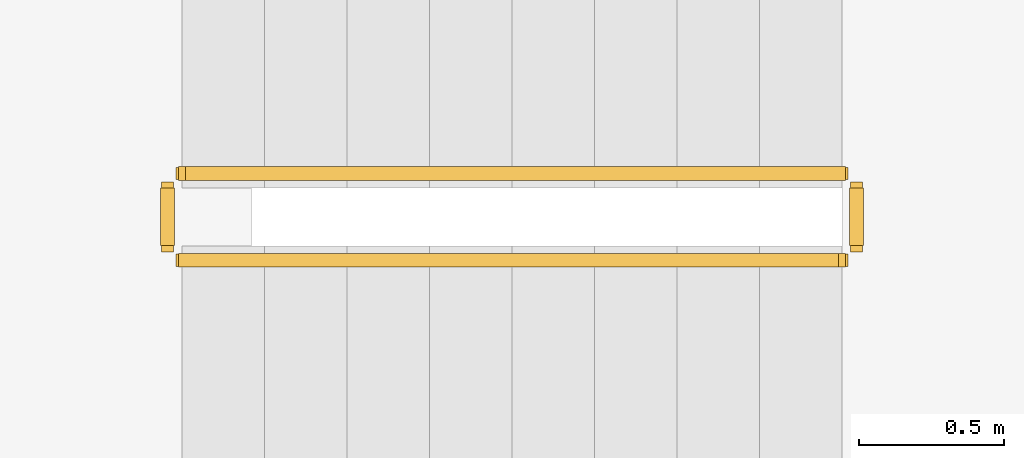
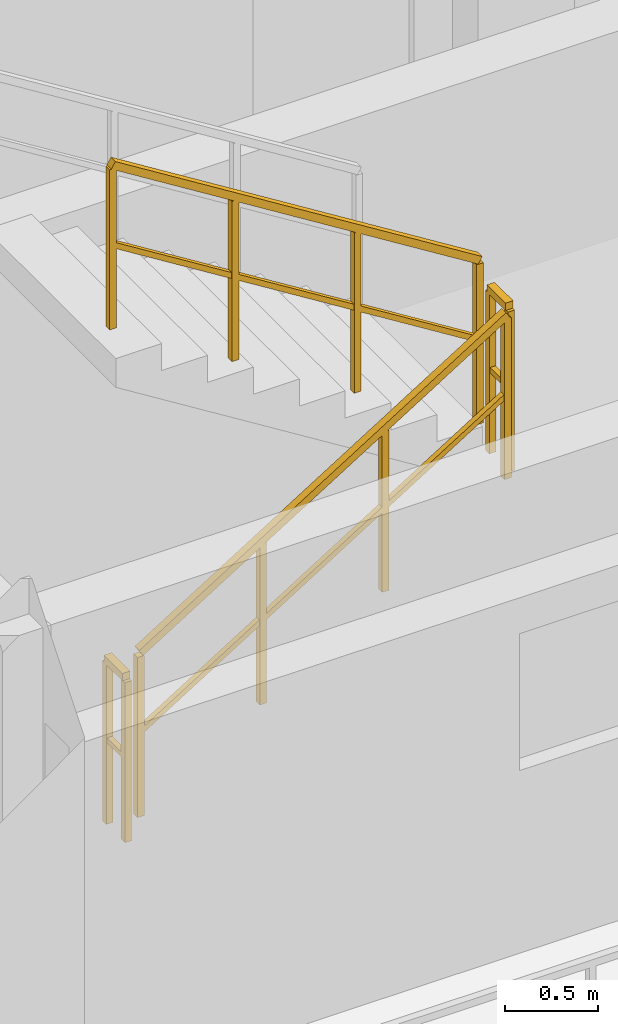
# One storey, part 76 of 78: 4 railings.
"""IFC4 building model written with IfcOpenShell, lengths in metres."""

from ifc_helpers import new_model, si_unit, direction, frame, origin, origin_2d, place, context, subcontext, project, spatial, rectangle, extrude, material, type_object, element, save


model = new_model("IFC4")

# Units and contexts
model_context = context("Model", 3, precision=1e-05, world=origin(), true_north=direction((0.0, 1.0)))
body_context = subcontext(model_context, "Body", "Model", "MODEL_VIEW")
ifc_project = project(units=[si_unit("LENGTHUNIT", "METRE"), si_unit("AREAUNIT", "SQUARE_METRE"), si_unit("VOLUMEUNIT", "CUBIC_METRE"), si_unit("PLANEANGLEUNIT", "RADIAN"), si_unit("MASSUNIT", "GRAM", prefix="KILO")], contexts=[model_context])

# Site, building, storey
site_placement = place(None, origin())
site = spatial("IfcSite", under=ifc_project, at=site_placement, CompositionType="ELEMENT")
building_placement = place(site_placement, origin())
building = spatial("IfcBuilding", under=site, at=building_placement, Name="Suanplinth Sawtooth Commons", CompositionType="ELEMENT")
storey_placement = place(building_placement, frame((0.0, 0.0, 15.39990234375)))
storey = spatial("IfcBuildingStorey", under=building, at=storey_placement, Name="L04", CompositionType="ELEMENT", Elevation=15.39990234375)

# Railings
ifc_material = material(Name="Stainless steel Grade 304", Category="steel")
railing_type = type_object("IfcRailingType", Name="GR-04", PredefinedType="GUARDRAIL", material=ifc_material)
railing_1_placement = place(storey_placement, frame((138.64990234375, 109.800048828125, 0.177978515625)))
element("IfcRailing", 1, at=railing_1_placement, inside=storey, type_object=railing_type, Name="L04 ST-E1 Guard 1", PredefinedType="GUARDRAIL", context=body_context, shape_type="SweptSolid", body=[
    extrude(rectangle(XDim=0.048095703125, YDim=0.048095703125, at=origin_2d()), frame((0.0, 0.0, 1.076171875), z_axis=(0.848482842525, 0.0, 0.529222888715), x_axis=(0.0, 1.0, 0.0)), (0.0, 0.0, 1.0), 2.687255859375),
    extrude(rectangle(XDim=0.03369140625, YDim=0.03369140625, at=origin_2d()), frame((0.0, 0.0, 0.550048828125), z_axis=(0.848482842525, 0.0, 0.529222888715), x_axis=(0.0, 1.0, 0.0)), (0.0, 0.0, 1.0), 2.687255859375),
    extrude(rectangle(XDim=0.0419921875, YDim=0.0419921875, at=origin_2d()), origin(), (0.0, 0.0, 1.0), 1.052001953125),
    extrude(rectangle(XDim=0.0419921875, YDim=0.0419921875, at=origin_2d()), frame((0.760009765625, 0.0, 0.47412109375)), (0.0, 0.0, 1.0), 1.052001953125),
    extrude(rectangle(XDim=0.0419921875, YDim=0.0419921875, at=origin_2d()), frame((1.52001953125, 0.0, 0.947998046875)), (0.0, 0.0, 1.0), 1.052001953125),
    extrude(rectangle(XDim=0.0419921875, YDim=0.0419921875, at=origin_2d()), frame((2.280029296875, 0.0, 1.422119140625)), (0.0, 0.0, 1.0), 1.052001953125),
])
railing_2_placement = place(storey_placement, frame((140.97998046875, 109.85009765625, 1.60009765625)))
element("IfcRailing", 2, at=railing_2_placement, inside=storey, type_object=railing_type, Name="L04 ST-E1 Guard 2", PredefinedType="GUARDRAIL", context=body_context, shape_type="SweptSolid", body=[
    extrude(rectangle(XDim=0.048095703125, YDim=0.048095703125, at=origin_2d()), frame((0.0, 0.0, 1.076171875), z_axis=(0.0, 1.0, 0.0), x_axis=(-1.0, 0.0, 0.0)), (0.0, 0.0, 1.0), 0.199951171875),
    extrude(rectangle(XDim=0.03369140625, YDim=0.03369140625, at=origin_2d()), frame((0.0, 0.0, 0.550048828125), z_axis=(0.0, 1.0, 0.0), x_axis=(-1.0, 0.0, 0.0)), (0.0, 0.0, 1.0), 0.199951171875),
    extrude(rectangle(XDim=0.0419921875, YDim=0.0419921875, at=origin_2d()), origin(), (0.0, 0.0, 1.0), 1.052001953125),
    extrude(rectangle(XDim=0.0419921875, YDim=0.0419921875, at=origin_2d()), frame((0.0, 0.199951171875, 0.0)), (0.0, 0.0, 1.0), 1.052001953125),
])
railing_3_placement = place(storey_placement, frame((140.929931640625, 110.10009765625, 1.77783203125)))
element("IfcRailing", 3, at=railing_3_placement, inside=storey, type_object=railing_type, Name="L04 ST-E1 Guard 3", PredefinedType="GUARDRAIL", context=body_context, shape_type="SweptSolid", body=[
    extrude(rectangle(XDim=0.048095703125, YDim=0.048095703125, at=origin_2d()), frame((0.0, 0.0, 1.076171875), z_axis=(-0.848442045328, 0.0, 0.529288291689), x_axis=(0.0, -1.0, 0.0)), (0.0, 0.0, 1.0), 2.687255859375),
    extrude(rectangle(XDim=0.03369140625, YDim=0.03369140625, at=origin_2d()), frame((0.0, 0.0, 0.550048828125), z_axis=(-0.848442045328, 0.0, 0.529288291689), x_axis=(0.0, -1.0, 0.0)), (0.0, 0.0, 1.0), 2.687255859375),
    extrude(rectangle(XDim=0.0419921875, YDim=0.0419921875, at=origin_2d()), origin(), (0.0, 0.0, 1.0), 1.052001953125),
    extrude(rectangle(XDim=0.0419921875, YDim=0.0419921875, at=origin_2d()), frame((-0.760009765625, 0.0, 0.47412109375)), (0.0, 0.0, 1.0), 1.052001953125),
    extrude(rectangle(XDim=0.0419921875, YDim=0.0419921875, at=origin_2d()), frame((-1.52001953125, 0.0, 0.9482421875)), (0.0, 0.0, 1.0), 1.052001953125),
    extrude(rectangle(XDim=0.0419921875, YDim=0.0419921875, at=origin_2d()), frame((-2.280029296875, 0.0, 1.42236328125)), (0.0, 0.0, 1.0), 1.052001953125),
])
railing_4_placement = place(storey_placement, frame((138.60009765625, 109.85009765625, 0.0)))
element("IfcRailing", 4, at=railing_4_placement, inside=storey, type_object=railing_type, Name="L04 ST-E1 Guard 4", PredefinedType="GUARDRAIL", context=body_context, shape_type="SweptSolid", body=[
    extrude(rectangle(XDim=0.048095703125, YDim=0.048095703125, at=origin_2d()), frame((0.0, 0.0, 1.076171875), z_axis=(0.0, 1.0, 0.0), x_axis=(-1.0, 0.0, 0.0)), (0.0, 0.0, 1.0), 0.199951171875),
    extrude(rectangle(XDim=0.03369140625, YDim=0.03369140625, at=origin_2d()), frame((0.0, 0.0, 0.550048828125), z_axis=(0.0, 1.0, 0.0), x_axis=(-1.0, 0.0, 0.0)), (0.0, 0.0, 1.0), 0.199951171875),
    extrude(rectangle(XDim=0.0419921875, YDim=0.0419921875, at=origin_2d()), origin(), (0.0, 0.0, 1.0), 1.052001953125),
    extrude(rectangle(XDim=0.0419921875, YDim=0.0419921875, at=origin_2d()), frame((0.0, 0.199951171875, 0.0)), (0.0, 0.0, 1.0), 1.052001953125),
])

save(model, "model.ifc")
